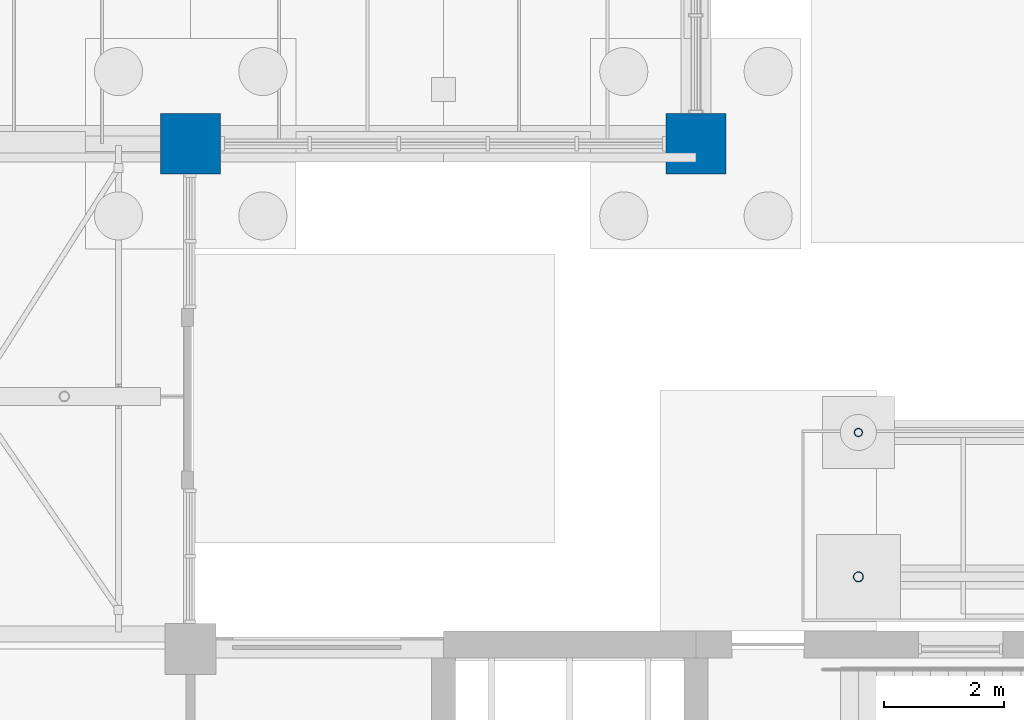
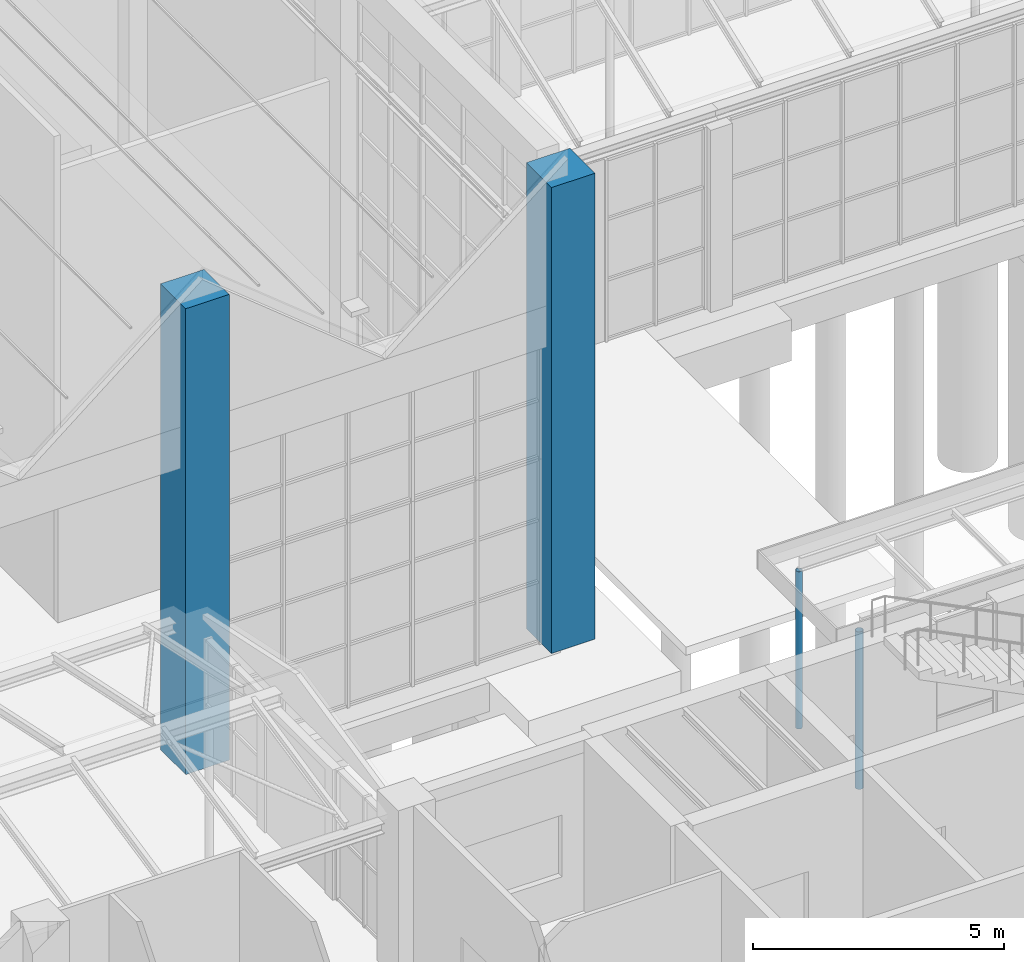
# One storey, part 14 of 138: 4 columns.
"""IFC4 building model written with IfcOpenShell, lengths in metres."""

from ifc_helpers import new_model, si_unit, direction, frame, origin, origin_2d, place, context, subcontext, project, spatial, rectangle, hollow_circle, extrude, material, material_profile, profile_set, type_object, element, save


model = new_model("IFC4")

# Units and contexts
model_context = context("Model", 3, precision=1e-05, world=origin(), true_north=direction((0.0, 1.0)))
body_context = subcontext(model_context, "Body", "Model", "MODEL_VIEW")
ifc_project = project(units=[si_unit("LENGTHUNIT", "METRE"), si_unit("AREAUNIT", "SQUARE_METRE"), si_unit("VOLUMEUNIT", "CUBIC_METRE"), si_unit("PLANEANGLEUNIT", "RADIAN"), si_unit("MASSUNIT", "GRAM", prefix="KILO")], contexts=[model_context])

# Site, building, storey
site_placement = place(None, origin())
site = spatial("IfcSite", under=ifc_project, at=site_placement, CompositionType="ELEMENT")
building_placement = place(site_placement, origin())
building = spatial("IfcBuilding", under=site, at=building_placement, Name="Yavir Park General Hospital", CompositionType="ELEMENT")
storey_placement = place(building_placement, origin())
storey = spatial("IfcBuildingStorey", under=building, at=storey_placement, Name="L00", CompositionType="ELEMENT", Elevation=0.0)

# Columns
ifc_material_1 = material(Name="Steel S355", Category="steel")
ifc_material_profile_1 = material_profile(ifc_material_1, hollow_circle(Radius=0.06982421875, WallThickness=0.008056640625, at=origin_2d()), Name="CHS139.7x8")
ifc_profile_set_1 = profile_set([ifc_material_profile_1], Name="Steel S355")
column_type_1 = type_object("IfcColumnType", Name="CHS 139.7x8 outer column", PredefinedType="COLUMN", material=ifc_profile_set_1)
column_1_placement = place(storey_placement, frame((111.89990234375, 37.199951171875, -0.300048828125), z_axis=(0.0, 0.0, 1.0), x_axis=(1.0, 0.0, 0.0)))
element("IfcColumn", 1, at=column_1_placement, inside=storey, type_object=column_type_1, Name="C:ARC2:10", PredefinedType="COLUMN", context=body_context, shape_type="SweptSolid", body=[
    extrude(hollow_circle(Radius=0.06982421875, WallThickness=0.008056640625, at=origin_2d()), origin(), (0.0, 0.0, 1.0), 3.820068359375),
])
ifc_material_2 = material(Name="Steel S355", Category="steel")
ifc_material_profile_2 = material_profile(ifc_material_2, hollow_circle(Radius=0.084228515625, WallThickness=0.008056640625, at=origin_2d()), Name="CHS168.3x8")
ifc_profile_set_2 = profile_set([ifc_material_profile_2], Name="Steel S355")
column_type_2 = type_object("IfcColumnType", Name="CHS 168.3x8 column", PredefinedType="COLUMN", material=ifc_profile_set_2)
column_2_placement = place(storey_placement, frame((111.89990234375, 34.800048828125, -0.300048828125), z_axis=(0.0, 0.0, 1.0), x_axis=(1.0, 0.0, 0.0)))
element("IfcColumn", 2, at=column_2_placement, inside=storey, type_object=column_type_2, Name="C:ARC2:00", PredefinedType="COLUMN", context=body_context, shape_type="SweptSolid", body=[
    extrude(hollow_circle(Radius=0.084228515625, WallThickness=0.008056640625, at=origin_2d()), origin(), (0.0, 0.0, 1.0), 3.820068359375),
])
ifc_material_3 = material(Name="Concrete C40/50", Category="concrete")
ifc_material_profile_3 = material_profile(ifc_material_3, rectangle(XDim=1.0, YDim=1.0, at=origin_2d()), Name="RC1000x1000")
ifc_profile_set_3 = profile_set([ifc_material_profile_3], Name="Concrete C40/50")
column_type_3 = type_object("IfcColumnType", Name="RC COLUMN 1000x1000", PredefinedType="COLUMN", material=ifc_profile_set_3)
for number, where, z_axis, x_axis, name in (
    (3, (100.800048828125, 42.0, 0.0), (0.0, 0.0, 1.0), (1.0, 0.0, 0.0), "C:L00:13F"),
    (4, (109.199951171875, 42.0, 0.0), (0.0, 0.0, 1.0), (1.0, 0.0, 0.0), "C:L00:14F"),
):
    element("IfcColumn", number, at=place(storey_placement, frame(where, z_axis=z_axis, x_axis=x_axis)), inside=storey, type_object=column_type_3, Name=name, PredefinedType="COLUMN", context=body_context, shape_type="SweptSolid", body=[
        extrude(rectangle(XDim=1.0, YDim=1.0, at=origin_2d()), origin(), (0.0, 0.0, 1.0), 11.31201171875),
    ])

save(model, "model.ifc")
